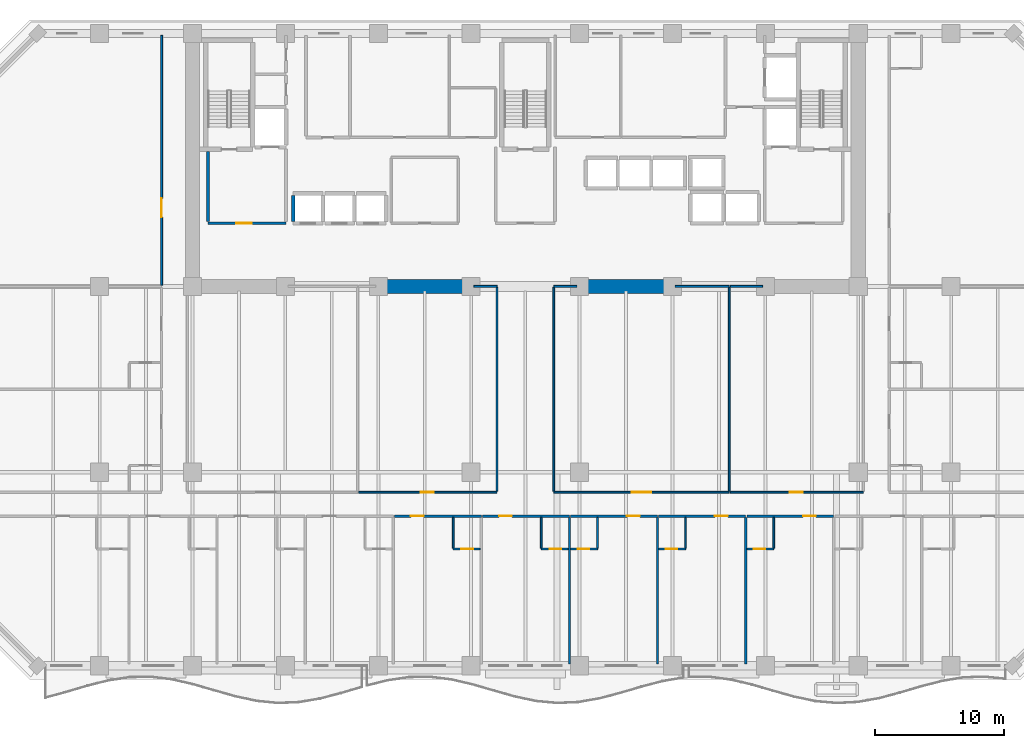
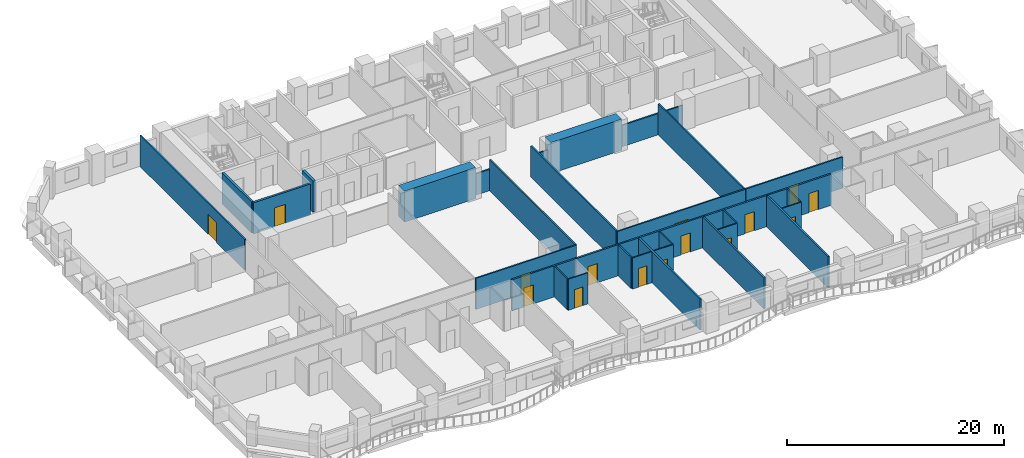
# One storey, part 6 of 15: 34 walls, 15 doors, 15 openings.
"""IFC4 building model written with IfcOpenShell, lengths in metres."""

from ifc_helpers import new_model, si_unit, direction, frame, frame_2d, origin, place, context, subcontext, project, spatial, rectangle, extrude, material, layer, layer_set, type_object, element, fill, save


model = new_model("IFC4")

# Units and contexts
model_context = context("Model", 3, precision=1e-05, world=origin(), true_north=direction((0.0, 1.0)))
body_context = subcontext(model_context, "Body", "Model", "MODEL_VIEW")
ifc_project = project(units=[si_unit("LENGTHUNIT", "METRE"), si_unit("AREAUNIT", "SQUARE_METRE"), si_unit("VOLUMEUNIT", "CUBIC_METRE"), si_unit("PLANEANGLEUNIT", "RADIAN"), si_unit("MASSUNIT", "GRAM", prefix="KILO")], contexts=[model_context])

# Site, building, storey
site_placement = place(None, origin())
site = spatial("IfcSite", under=ifc_project, at=site_placement, CompositionType="ELEMENT")
building_placement = place(site_placement, origin())
building = spatial("IfcBuilding", under=site, at=building_placement, Name="Kaelvorn Grand Hotel", CompositionType="ELEMENT")
storey_placement = place(building_placement, frame((0.0, 0.0, 57.64990234375)))
storey = spatial("IfcBuildingStorey", under=building, at=storey_placement, Name="L12", CompositionType="ELEMENT", Elevation=57.64990234375)

# Walls
ifc_material_1 = material(Name="Concrete C80/95", Category="concrete")
ifc_layer_1 = layer(ifc_material_1, 1.10009765625)
ifc_layer_set_1 = layer_set([ifc_layer_1], Name="Concrete C80/95")
wall_type_1 = type_object("IfcWallType", Name="WL-CORE-1100-C80", PredefinedType="SHEAR", material=ifc_layer_set_1)
for number, where, z_axis, x_axis, name in (
    (1, (30.39990234375, 29.39990234375, 0.0), (0.0, 0.0, 1.0), (1.0, 0.0, 0.0), "L12 Rear-Core Coupled Shear Pier S2"),
    (2, (46.0, 29.39990234375, 0.0), (0.0, 0.0, 1.0), (1.0, 0.0, 0.0), "L12 Rear-Core Coupled Shear Pier S3"),
):
    element("IfcWall", number, at=place(storey_placement, frame(where, z_axis=z_axis, x_axis=x_axis)), inside=storey, type_object=wall_type_1, Name=name, PredefinedType="SHEAR", context=body_context, shape_type="SweptSolid", body=[
        extrude(rectangle(XDim=7.60009765625, YDim=1.10009765625, at=frame_2d((3.800048828125, 0.0))), origin(), (0.0, 0.0, 1.0), 3.510009765625),
    ])

# Wall, opening, door
ifc_material_2 = material(Name="Moisture-Resistant Tile & Stud Board")
ifc_layer_2 = layer(ifc_material_2, 0.125)
ifc_layer_set_2 = layer_set([ifc_layer_2], Name="Moisture-Resistant Tile & Stud Board")
wall_type_2 = type_object("IfcWallType", Name="WL-PART-125-WET", PredefinedType="PARTITIONING", material=ifc_layer_set_2)
wall_1_placement = place(storey_placement, frame((36.406494140625, 9.050048828125, 0.0), z_axis=(0.0, 0.0, 1.0), x_axis=(1.0, 0.0, 0.0)))
wall_1 = element("IfcWall", 3, at=wall_1_placement, inside=storey, type_object=wall_type_2, Name="L12 En-suite Bathroom L12-05 S Partition", PredefinedType="PARTITIONING", context=body_context, shape_type="SweptSolid", body=[
    extrude(rectangle(XDim=2.0849609375, YDim=0.125, at=frame_2d((1.04248046875, 0.0))), origin(), (0.0, 0.0, 1.0), 3.510009765625),
])
opening_1_placement = place(wall_1_placement, frame((0.639892578125, 0.0, 0.0)))
opening_1 = element("IfcOpeningElement", 4, at=opening_1_placement, cuts=wall_1, Name="Opening DI4", PredefinedType="OPENING", context=body_context, shape_type="SweptSolid", body=[
    extrude(rectangle(XDim=0.89990234375, YDim=2.10009765625, at=frame_2d((0.449951171875, 1.050048828125))), frame((0.0, 0.072509765625, 0.0), z_axis=(0.0, -1.0, 0.0), x_axis=(1.0, 0.0, 0.0)), (0.0, 0.0, 1.0), 0.14501953125),
])
ifc_material_3 = material(Name="Timber Veneer Leaf", Category="wood")
door_type_1 = type_object("IfcDoorType", Name="DR-INT-BATH-900x2100", OperationType="NOTDEFINED", PredefinedType="DOOR", material=ifc_material_3)
door_1_placement = place(opening_1_placement, origin())
door_1 = element("IfcDoor", 5, at=door_1_placement, inside=storey, type_object=door_type_1, Name="L12 En-suite Bathroom L12-05 Door", OperationType="SINGLE_SWING_LEFT", OverallHeight=2.10009765625, OverallWidth=0.89990234375, PredefinedType="DOOR", context=body_context, shape_type="SweptSolid", body=[
    extrude(rectangle(XDim=0.89990234375, YDim=2.10009765625, at=frame_2d((0.449951171875, 1.050048828125))), frame((0.0, 0.02490234375, 0.0), z_axis=(0.0, -1.0, 0.0), x_axis=(1.0, 0.0, 0.0)), (0.0, 0.0, 1.0), 0.050048828125),
])
fill(opening_1, door_1)

# Wall
wall_2_placement = place(storey_placement, frame((36.406494140625, 9.117431640625, 0.0), z_axis=(0.0, 0.0, 1.0), x_axis=(0.0, 1.0, 0.0)))
element("IfcWall", 6, at=wall_2_placement, inside=storey, type_object=wall_type_2, Name="L12 En-suite Bathroom L12-05 W Partition", PredefinedType="PARTITIONING", context=body_context, shape_type="SweptSolid", body=[
    extrude(rectangle(XDim=2.387451171875, YDim=0.125, at=frame_2d((1.19384765625, 0.0))), origin(), (0.0, 0.0, 1.0), 3.510009765625),
])

# Wall, opening, door
wall_3_placement = place(storey_placement, frame((43.233642578125, 9.050048828125, 0.0), z_axis=(0.0, 0.0, 1.0), x_axis=(1.0, 0.0, 0.0)))
wall_3 = element("IfcWall", 7, at=wall_3_placement, inside=storey, type_object=wall_type_2, Name="L12 En-suite Bathroom L12-06 S Partition", PredefinedType="PARTITIONING", context=body_context, shape_type="SweptSolid", body=[
    extrude(rectangle(XDim=2.0849609375, YDim=0.125, at=frame_2d((1.04248046875, 0.0))), origin(), (0.0, 0.0, 1.0), 3.510009765625),
])
opening_2_placement = place(wall_3_placement, frame((0.639892578125, 0.0, 0.0)))
opening_2 = element("IfcOpeningElement", 8, at=opening_2_placement, cuts=wall_3, Name="Opening DI4", PredefinedType="OPENING", context=body_context, shape_type="SweptSolid", body=[
    extrude(rectangle(XDim=0.89990234375, YDim=2.10009765625, at=frame_2d((0.449951171875, 1.050048828125))), frame((0.0, 0.072509765625, 0.0), z_axis=(0.0, -1.0, 0.0), x_axis=(1.0, 0.0, 0.0)), (0.0, 0.0, 1.0), 0.14501953125),
])
door_2_placement = place(opening_2_placement, origin())
door_2 = element("IfcDoor", 9, at=door_2_placement, inside=storey, type_object=door_type_1, Name="L12 En-suite Bathroom L12-06 Door", OperationType="SINGLE_SWING_LEFT", OverallHeight=2.10009765625, OverallWidth=0.89990234375, PredefinedType="DOOR", context=body_context, shape_type="SweptSolid", body=[
    extrude(rectangle(XDim=0.89990234375, YDim=2.10009765625, at=frame_2d((0.449951171875, 1.050048828125))), frame((0.0, 0.02490234375, 0.0), z_axis=(0.0, -1.0, 0.0), x_axis=(1.0, 0.0, 0.0)), (0.0, 0.0, 1.0), 0.050048828125),
])
fill(opening_2, door_2)

# Wall
wall_4_placement = place(storey_placement, frame((43.233642578125, 9.117431640625, 0.0), z_axis=(0.0, 0.0, 1.0), x_axis=(0.0, 1.0, 0.0)))
element("IfcWall", 10, at=wall_4_placement, inside=storey, type_object=wall_type_2, Name="L12 En-suite Bathroom L12-06 W Partition", PredefinedType="PARTITIONING", context=body_context, shape_type="SweptSolid", body=[
    extrude(rectangle(XDim=2.387451171875, YDim=0.125, at=frame_2d((1.19384765625, 0.0))), origin(), (0.0, 0.0, 1.0), 3.510009765625),
])

# Wall, opening, door
wall_5_placement = place(storey_placement, frame((45.508544921875, 9.050048828125, 0.0), z_axis=(0.0, 0.0, 1.0), x_axis=(1.0, 0.0, 0.0)))
wall_5 = element("IfcWall", 11, at=wall_5_placement, inside=storey, type_object=wall_type_2, Name="L12 En-suite Bathroom L12-07 S Partition", PredefinedType="PARTITIONING", context=body_context, shape_type="SweptSolid", body=[
    extrude(rectangle(XDim=2.0849609375, YDim=0.125, at=frame_2d((1.04248046875, 0.0))), origin(), (0.0, 0.0, 1.0), 3.510009765625),
])
opening_3_placement = place(wall_5_placement, frame((0.544921875, 0.0, 0.0)))
opening_3 = element("IfcOpeningElement", 12, at=opening_3_placement, cuts=wall_5, Name="Opening DI4", PredefinedType="OPENING", context=body_context, shape_type="SweptSolid", body=[
    extrude(rectangle(XDim=0.89990234375, YDim=2.10009765625, at=frame_2d((0.449951171875, 1.050048828125))), frame((0.0, 0.072509765625, 0.0), z_axis=(0.0, -1.0, 0.0), x_axis=(1.0, 0.0, 0.0)), (0.0, 0.0, 1.0), 0.14501953125),
])
door_3_placement = place(opening_3_placement, origin())
door_3 = element("IfcDoor", 13, at=door_3_placement, inside=storey, type_object=door_type_1, Name="L12 En-suite Bathroom L12-07 Door", OperationType="SINGLE_SWING_LEFT", OverallHeight=2.10009765625, OverallWidth=0.89990234375, PredefinedType="DOOR", context=body_context, shape_type="SweptSolid", body=[
    extrude(rectangle(XDim=0.89990234375, YDim=2.10009765625, at=frame_2d((0.449951171875, 1.050048828125))), frame((0.0, 0.02490234375, 0.0), z_axis=(0.0, -1.0, 0.0), x_axis=(1.0, 0.0, 0.0)), (0.0, 0.0, 1.0), 0.050048828125),
])
fill(opening_3, door_3)

# Wall
wall_6_placement = place(storey_placement, frame((47.593505859375, 9.117431640625, 0.0), z_axis=(0.0, 0.0, 1.0), x_axis=(0.0, 1.0, 0.0)))
element("IfcWall", 14, at=wall_6_placement, inside=storey, type_object=wall_type_2, Name="L12 En-suite Bathroom L12-07 E Partition", PredefinedType="PARTITIONING", context=body_context, shape_type="SweptSolid", body=[
    extrude(rectangle(XDim=2.387451171875, YDim=0.125, at=frame_2d((1.19384765625, 0.0))), origin(), (0.0, 0.0, 1.0), 3.510009765625),
])

# Wall, opening, door
wall_7_placement = place(storey_placement, frame((52.3359375, 9.050048828125, 0.0), z_axis=(0.0, 0.0, 1.0), x_axis=(1.0, 0.0, 0.0)))
wall_7 = element("IfcWall", 15, at=wall_7_placement, inside=storey, type_object=wall_type_2, Name="L12 En-suite Bathroom L12-08 S Partition", PredefinedType="PARTITIONING", context=body_context, shape_type="SweptSolid", body=[
    extrude(rectangle(XDim=2.0849609375, YDim=0.125, at=frame_2d((1.04248046875, 0.0))), origin(), (0.0, 0.0, 1.0), 3.510009765625),
])
opening_4_placement = place(wall_7_placement, frame((0.544921875, 0.0, 0.0)))
opening_4 = element("IfcOpeningElement", 16, at=opening_4_placement, cuts=wall_7, Name="Opening DI4", PredefinedType="OPENING", context=body_context, shape_type="SweptSolid", body=[
    extrude(rectangle(XDim=0.89990234375, YDim=2.10009765625, at=frame_2d((0.449951171875, 1.050048828125))), frame((0.0, 0.072509765625, 0.0), z_axis=(0.0, -1.0, 0.0), x_axis=(1.0, 0.0, 0.0)), (0.0, 0.0, 1.0), 0.14501953125),
])
door_4_placement = place(opening_4_placement, origin())
door_4 = element("IfcDoor", 17, at=door_4_placement, inside=storey, type_object=door_type_1, Name="L12 En-suite Bathroom L12-08 Door", OperationType="SINGLE_SWING_LEFT", OverallHeight=2.10009765625, OverallWidth=0.89990234375, PredefinedType="DOOR", context=body_context, shape_type="SweptSolid", body=[
    extrude(rectangle(XDim=0.89990234375, YDim=2.10009765625, at=frame_2d((0.449951171875, 1.050048828125))), frame((0.0, 0.02490234375, 0.0), z_axis=(0.0, -1.0, 0.0), x_axis=(1.0, 0.0, 0.0)), (0.0, 0.0, 1.0), 0.050048828125),
])
fill(opening_4, door_4)

# Wall
wall_8_placement = place(storey_placement, frame((54.4208984375, 9.117431640625, 0.0), z_axis=(0.0, 0.0, 1.0), x_axis=(0.0, 1.0, 0.0)))
element("IfcWall", 18, at=wall_8_placement, inside=storey, type_object=wall_type_2, Name="L12 En-suite Bathroom L12-08 E Partition", PredefinedType="PARTITIONING", context=body_context, shape_type="SweptSolid", body=[
    extrude(rectangle(XDim=2.387451171875, YDim=0.125, at=frame_2d((1.19384765625, 0.0))), origin(), (0.0, 0.0, 1.0), 3.510009765625),
])

# Wall, opening, door
wall_9_placement = place(storey_placement, frame((59.1630859375, 9.050048828125, 0.0), z_axis=(0.0, 0.0, 1.0), x_axis=(1.0, 0.0, 0.0)))
wall_9 = element("IfcWall", 19, at=wall_9_placement, inside=storey, type_object=wall_type_2, Name="L12 En-suite Bathroom L12-09 S Partition", PredefinedType="PARTITIONING", context=body_context, shape_type="SweptSolid", body=[
    extrude(rectangle(XDim=2.085205078125, YDim=0.125, at=frame_2d((1.04248046875, 0.0))), origin(), (0.0, 0.0, 1.0), 3.510009765625),
])
opening_5_placement = place(wall_9_placement, frame((0.544921875, 0.0, 0.0)))
opening_5 = element("IfcOpeningElement", 20, at=opening_5_placement, cuts=wall_9, Name="Opening DI4", PredefinedType="OPENING", context=body_context, shape_type="SweptSolid", body=[
    extrude(rectangle(XDim=0.89990234375, YDim=2.10009765625, at=frame_2d((0.449951171875, 1.050048828125))), frame((0.0, 0.072509765625, 0.0), z_axis=(0.0, -1.0, 0.0), x_axis=(1.0, 0.0, 0.0)), (0.0, 0.0, 1.0), 0.14501953125),
])
door_5_placement = place(opening_5_placement, origin())
door_5 = element("IfcDoor", 21, at=door_5_placement, inside=storey, type_object=door_type_1, Name="L12 En-suite Bathroom L12-09 Door", OperationType="SINGLE_SWING_LEFT", OverallHeight=2.10009765625, OverallWidth=0.89990234375, PredefinedType="DOOR", context=body_context, shape_type="SweptSolid", body=[
    extrude(rectangle(XDim=0.89990234375, YDim=2.10009765625, at=frame_2d((0.449951171875, 1.050048828125))), frame((0.0, 0.02490234375, 0.0), z_axis=(0.0, -1.0, 0.0), x_axis=(1.0, 0.0, 0.0)), (0.0, 0.0, 1.0), 0.050048828125),
])
fill(opening_5, door_5)

# Wall
wall_10_placement = place(storey_placement, frame((61.248291015625, 9.117431640625, 0.0), z_axis=(0.0, 0.0, 1.0), x_axis=(0.0, 1.0, 0.0)))
element("IfcWall", 22, at=wall_10_placement, inside=storey, type_object=wall_type_2, Name="L12 En-suite Bathroom L12-09 E Partition", PredefinedType="PARTITIONING", context=body_context, shape_type="SweptSolid", body=[
    extrude(rectangle(XDim=2.387451171875, YDim=0.125, at=frame_2d((1.19384765625, 0.0))), origin(), (0.0, 0.0, 1.0), 3.510009765625),
])

# Wall, opening, door
ifc_material_4 = material(Name="Acoustic Gypsum & Stud Partition")
ifc_layer_3 = layer(ifc_material_4, 0.14990234375)
ifc_layer_set_3 = layer_set([ifc_layer_3], Name="Acoustic Gypsum & Stud Partition")
wall_type_3 = type_object("IfcWallType", Name="WL-PART-150-EI60", PredefinedType="PARTITIONING", material=ifc_layer_set_3)
wall_11_placement = place(storey_placement, frame((29.080078125, 13.449951171875, 0.0), z_axis=(0.0, 0.0, 1.0), x_axis=(1.0, 0.0, 0.0)))
wall_11 = element("IfcWall", 23, at=wall_11_placement, inside=storey, type_object=wall_type_3, Name="L12 Chef Finishing Kitchen S Partition", PredefinedType="PARTITIONING", context=body_context, shape_type="SweptSolid", body=[
    extrude(rectangle(XDim=10.719970703125, YDim=0.14990234375, at=frame_2d((5.35986328125, 0.0))), origin(), (0.0, 0.0, 1.0), 3.510009765625),
])
opening_6_placement = place(wall_11_placement, frame((4.820068359375, 0.0, 0.0)))
opening_6 = element("IfcOpeningElement", 24, at=opening_6_placement, cuts=wall_11, Name="Opening DI3", PredefinedType="OPENING", context=body_context, shape_type="SweptSolid", body=[
    extrude(rectangle(XDim=1.0, YDim=2.14990234375, at=frame_2d((0.5, 1.074951171875))), frame((0.0, 0.0849609375, 0.0), z_axis=(0.0, -1.0, 0.0), x_axis=(1.0, 0.0, 0.0)), (0.0, 0.0, 1.0), 0.169921875),
])
ifc_material_5 = material(Name="Timber Veneer Fire Leaf", Category="wood")
door_type_2 = type_object("IfcDoorType", Name="DR-INT-GUEST-1000x2150", OperationType="NOTDEFINED", PredefinedType="DOOR", material=ifc_material_5)
door_6_placement = place(opening_6_placement, origin())
door_6 = element("IfcDoor", 25, at=door_6_placement, inside=storey, type_object=door_type_2, Name="L12 Chef Finishing Kitchen Door", OperationType="SINGLE_SWING_RIGHT", OverallHeight=2.14990234375, OverallWidth=1.0, PredefinedType="DOOR", context=body_context, shape_type="SweptSolid", body=[
    extrude(rectangle(XDim=1.0, YDim=2.14990234375, at=frame_2d((0.5, 1.074951171875))), frame((0.0, 0.02490234375, 0.0), z_axis=(0.0, -1.0, 0.0), x_axis=(1.0, 0.0, 0.0)), (0.0, 0.0, 1.0), 0.050048828125),
])
fill(opening_6, door_6)

# Walls
wall_12_placement = place(storey_placement, frame((38.010009765625, 29.39990234375, 0.0), z_axis=(0.0, 0.0, 1.0), x_axis=(1.0, 0.0, 0.0)))
element("IfcWall", 26, at=wall_12_placement, inside=storey, type_object=wall_type_3, Name="L12 Chef Finishing Kitchen N Partition (2)", PredefinedType="PARTITIONING", context=body_context, shape_type="SweptSolid", body=[
    extrude(rectangle(XDim=1.7900390625, YDim=0.14990234375, at=frame_2d((0.89501953125, 0.0))), origin(), (0.0, 0.0, 1.0), 2.41015625),
])
wall_13_placement = place(storey_placement, frame((39.800048828125, 13.530029296875, 0.0), z_axis=(0.0, 0.0, 1.0), x_axis=(0.0, 1.0, 0.0)))
element("IfcWall", 27, at=wall_13_placement, inside=storey, type_object=wall_type_3, Name="L12 Chef Finishing Kitchen E Partition", PredefinedType="PARTITIONING", context=body_context, shape_type="SweptSolid", body=[
    extrude(rectangle(XDim=15.7900390625, YDim=0.14990234375, at=frame_2d((7.89501953125, 0.0))), origin(), (0.0, 0.0, 1.0), 3.510009765625),
])

# Wall, opening, door
wall_14_placement = place(storey_placement, frame((44.199951171875, 13.449951171875, 0.0), z_axis=(0.0, 0.0, 1.0), x_axis=(1.0, 0.0, 0.0)))
wall_14 = element("IfcWall", 28, at=wall_14_placement, inside=storey, type_object=wall_type_3, Name="L12 Conference Seminar Room S Partition", PredefinedType="PARTITIONING", context=body_context, shape_type="SweptSolid", body=[
    extrude(rectangle(XDim=13.60009765625, YDim=0.14990234375, at=frame_2d((6.800048828125, 0.0))), origin(), (0.0, 0.0, 1.0), 3.510009765625),
])
opening_7_placement = place(wall_14_placement, frame((6.050048828125, 0.0, 0.0)))
opening_7 = element("IfcOpeningElement", 29, at=opening_7_placement, cuts=wall_14, Name="Opening DI5", PredefinedType="OPENING", context=body_context, shape_type="SweptSolid", body=[
    extrude(rectangle(XDim=1.5, YDim=2.25, at=frame_2d((0.75, 1.125))), frame((0.0, 0.0849609375, 0.0), z_axis=(0.0, -1.0, 0.0), x_axis=(1.0, 0.0, 0.0)), (0.0, 0.0, 1.0), 0.169921875),
])
door_type_3 = type_object("IfcDoorType", Name="DR-INT-SALON-1500x2250", OperationType="DOUBLE_DOOR_SINGLE_SWING", PredefinedType="DOOR", material=ifc_material_5)
door_7_placement = place(opening_7_placement, origin())
door_7 = element("IfcDoor", 30, at=door_7_placement, inside=storey, type_object=door_type_3, Name="L12 Conference Seminar Room Door", OperationType="DOUBLE_DOOR_SINGLE_SWING", OverallHeight=2.25, OverallWidth=1.5, PredefinedType="DOOR", context=body_context, shape_type="SweptSolid", body=[
    extrude(rectangle(XDim=1.5, YDim=2.25, at=frame_2d((0.75, 1.125))), frame((0.0, 0.02490234375, 0.0), z_axis=(0.0, -1.0, 0.0), x_axis=(1.0, 0.0, 0.0)), (0.0, 0.0, 1.0), 0.050048828125),
])
fill(opening_7, door_7)

# Walls
wall_15_placement = place(storey_placement, frame((44.199951171875, 29.39990234375, 0.0), z_axis=(0.0, 0.0, 1.0), x_axis=(1.0, 0.0, 0.0)))
element("IfcWall", 31, at=wall_15_placement, inside=storey, type_object=wall_type_3, Name="L12 Conference Seminar Room N Partition (1)", PredefinedType="PARTITIONING", context=body_context, shape_type="SweptSolid", body=[
    extrude(rectangle(XDim=1.7900390625, YDim=0.14990234375, at=frame_2d((0.89501953125, 0.0))), origin(), (0.0, 0.0, 1.0), 2.41015625),
])
wall_16_placement = place(storey_placement, frame((53.610107421875, 29.39990234375, 0.0), z_axis=(0.0, 0.0, 1.0), x_axis=(1.0, 0.0, 0.0)))
element("IfcWall", 32, at=wall_16_placement, inside=storey, type_object=wall_type_3, Name="L12 Conference Seminar Room N Partition (2)", PredefinedType="PARTITIONING", context=body_context, shape_type="SweptSolid", body=[
    extrude(rectangle(XDim=4.18994140625, YDim=0.14990234375, at=frame_2d((2.094970703125, 0.0))), origin(), (0.0, 0.0, 1.0), 2.41015625),
])
for number, where, z_axis, x_axis, name in (
    (33, (44.199951171875, 13.530029296875, 0.0), (0.0, 0.0, 1.0), (0.0, 1.0, 0.0), "L12 Conference Seminar Room W Partition"),
    (34, (57.800048828125, 13.530029296875, 0.0), (0.0, 0.0, 1.0), (0.0, 1.0, 0.0), "L12 Conference Seminar Room E Partition"),
):
    element("IfcWall", number, at=place(storey_placement, frame(where, z_axis=z_axis, x_axis=x_axis)), inside=storey, type_object=wall_type_3, Name=name, PredefinedType="PARTITIONING", context=body_context, shape_type="SweptSolid", body=[
        extrude(rectangle(XDim=15.7900390625, YDim=0.14990234375, at=frame_2d((7.89501953125, 0.0))), origin(), (0.0, 0.0, 1.0), 3.510009765625),
    ])

# Wall, opening, door
wall_17_placement = place(storey_placement, frame((57.8798828125, 13.449951171875, 0.0), z_axis=(0.0, 0.0, 1.0), x_axis=(1.0, 0.0, 0.0)))
wall_17 = element("IfcWall", 35, at=wall_17_placement, inside=storey, type_object=wall_type_3, Name="L12 Concierge Admin Office S Partition", PredefinedType="PARTITIONING", context=body_context, shape_type="SweptSolid", body=[
    extrude(rectangle(XDim=10.320068359375, YDim=0.14990234375, at=frame_2d((5.16015625, 0.0))), origin(), (0.0, 0.0, 1.0), 3.510009765625),
])
opening_8_placement = place(wall_17_placement, frame((4.6201171875, 0.0, 0.0)))
opening_8 = element("IfcOpeningElement", 36, at=opening_8_placement, cuts=wall_17, Name="Opening DI3", PredefinedType="OPENING", context=body_context, shape_type="SweptSolid", body=[
    extrude(rectangle(XDim=1.0, YDim=2.14990234375, at=frame_2d((0.5, 1.074951171875))), frame((0.0, 0.0849609375, 0.0), z_axis=(0.0, -1.0, 0.0), x_axis=(1.0, 0.0, 0.0)), (0.0, 0.0, 1.0), 0.169921875),
])
door_8_placement = place(opening_8_placement, origin())
door_8 = element("IfcDoor", 37, at=door_8_placement, inside=storey, type_object=door_type_2, Name="L12 Concierge Admin Office Door", OperationType="SINGLE_SWING_LEFT", OverallHeight=2.14990234375, OverallWidth=1.0, PredefinedType="DOOR", context=body_context, shape_type="SweptSolid", body=[
    extrude(rectangle(XDim=1.0, YDim=2.14990234375, at=frame_2d((0.5, 1.074951171875))), frame((0.0, 0.02490234375, 0.0), z_axis=(0.0, -1.0, 0.0), x_axis=(1.0, 0.0, 0.0)), (0.0, 0.0, 1.0), 0.050048828125),
])
fill(opening_8, door_8)

# Wall
wall_18_placement = place(storey_placement, frame((57.8798828125, 29.39990234375, 0.0), z_axis=(0.0, 0.0, 1.0), x_axis=(1.0, 0.0, 0.0)))
element("IfcWall", 38, at=wall_18_placement, inside=storey, type_object=wall_type_3, Name="L12 Concierge Admin Office N Partition", PredefinedType="PARTITIONING", context=body_context, shape_type="SweptSolid", body=[
    extrude(rectangle(XDim=2.510009765625, YDim=0.14990234375, at=frame_2d((1.2548828125, 0.0))), origin(), (0.0, 0.0, 1.0), 2.41015625),
])

# Wall, opening, door
wall_19_placement = place(storey_placement, frame((13.800048828125, 29.4951171875, 0.0), z_axis=(0.0, 0.0, 1.0), x_axis=(0.0, 1.0, 0.0)))
wall_19 = element("IfcWall", 39, at=wall_19_placement, inside=storey, type_object=wall_type_3, Name="L12 North-West Conference Seminar Room E Partition", PredefinedType="PARTITIONING", context=body_context, shape_type="SweptSolid", body=[
    extrude(rectangle(XDim=19.35498046875, YDim=0.14990234375, at=frame_2d((9.677490234375, 0.0))), origin(), (0.0, 0.0, 1.0), 3.510009765625),
])
opening_9_placement = place(wall_19_placement, frame((5.2548828125, 0.0, 0.0)))
opening_9 = element("IfcOpeningElement", 40, at=opening_9_placement, cuts=wall_19, Name="Opening DI5", PredefinedType="OPENING", context=body_context, shape_type="SweptSolid", body=[
    extrude(rectangle(XDim=1.5, YDim=2.25, at=frame_2d((0.75, 1.125))), frame((0.0, 0.0849609375, 0.0), z_axis=(0.0, -1.0, 0.0), x_axis=(1.0, 0.0, 0.0)), (0.0, 0.0, 1.0), 0.169921875),
])
door_9_placement = place(opening_9_placement, origin())
door_9 = element("IfcDoor", 41, at=door_9_placement, inside=storey, type_object=door_type_3, Name="L12 North-West Conference Seminar Room Door", OperationType="DOUBLE_DOOR_SINGLE_SWING", OverallHeight=2.25, OverallWidth=1.5, PredefinedType="DOOR", context=body_context, shape_type="SweptSolid", body=[
    extrude(rectangle(XDim=1.5, YDim=2.25, at=frame_2d((0.75, 1.125))), frame((0.0, 0.02490234375, 0.0), z_axis=(0.0, -1.0, 0.0), x_axis=(1.0, 0.0, 0.0)), (0.0, 0.0, 1.0), 0.050048828125),
])
fill(opening_9, door_9)

ifc_layer_4 = layer(ifc_material_4, 0.179931640625)
ifc_layer_set_4 = layer_set([ifc_layer_4], Name="Acoustic Gypsum & Stud Partition")
wall_type_4 = type_object("IfcWallType", Name="WL-PART-180-EI60", PredefinedType="PARTITIONING", material=ifc_layer_set_4)
wall_20_placement = place(storey_placement, frame((31.85400390625, 11.60009765625, 0.0), z_axis=(0.0, 0.0, 1.0), x_axis=(1.0, 0.0, 0.0)))
wall_20 = element("IfcWall", 42, at=wall_20_placement, inside=storey, type_object=wall_type_4, Name="L12 Deluxe Panoramic Suite L12-05 N Partition", PredefinedType="PARTITIONING", context=body_context, shape_type="SweptSolid", body=[
    extrude(rectangle(XDim=6.732421875, YDim=0.179931640625, at=frame_2d((3.3662109375, 0.0))), origin(), (0.0, 0.0, 1.0), 3.510009765625),
])
opening_10_placement = place(wall_20_placement, frame((1.27880859375, 0.0, 0.0)))
opening_10 = element("IfcOpeningElement", 43, at=opening_10_placement, cuts=wall_20, Name="Opening DI3", PredefinedType="OPENING", context=body_context, shape_type="SweptSolid", body=[
    extrude(rectangle(XDim=1.0, YDim=2.14990234375, at=frame_2d((0.5, 1.074951171875))), frame((0.0, 0.10009765625, 0.0), z_axis=(0.0, -1.0, 0.0), x_axis=(1.0, 0.0, 0.0)), (0.0, 0.0, 1.0), 0.199951171875),
])
door_10_placement = place(opening_10_placement, origin())
door_10 = element("IfcDoor", 44, at=door_10_placement, inside=storey, type_object=door_type_2, Name="L12 Deluxe Panoramic Suite L12-05 Door", OperationType="SINGLE_SWING_RIGHT", OverallHeight=2.14990234375, OverallWidth=1.0, PredefinedType="DOOR", context=body_context, shape_type="SweptSolid", body=[
    extrude(rectangle(XDim=1.0, YDim=2.14990234375, at=frame_2d((0.5, 1.074951171875))), frame((0.0, 0.02490234375, 0.0), z_axis=(0.0, -1.0, 0.0), x_axis=(1.0, 0.0, 0.0)), (0.0, 0.0, 1.0), 0.050048828125),
])
fill(opening_10, door_10)

wall_21_placement = place(storey_placement, frame((38.681396484375, 11.60009765625, 0.0), z_axis=(0.0, 0.0, 1.0), x_axis=(1.0, 0.0, 0.0)))
wall_21 = element("IfcWall", 45, at=wall_21_placement, inside=storey, type_object=wall_type_4, Name="L12 Deluxe Panoramic Suite L12-06 N Partition", PredefinedType="PARTITIONING", context=body_context, shape_type="SweptSolid", body=[
    extrude(rectangle(XDim=6.732177734375, YDim=0.179931640625, at=frame_2d((3.3662109375, 0.0))), origin(), (0.0, 0.0, 1.0), 3.510009765625),
])
opening_11_placement = place(wall_21_placement, frame((1.278564453125, 0.0, 0.0)))
opening_11 = element("IfcOpeningElement", 46, at=opening_11_placement, cuts=wall_21, Name="Opening DI3", PredefinedType="OPENING", context=body_context, shape_type="SweptSolid", body=[
    extrude(rectangle(XDim=1.0, YDim=2.14990234375, at=frame_2d((0.5, 1.074951171875))), frame((0.0, 0.10009765625, 0.0), z_axis=(0.0, -1.0, 0.0), x_axis=(1.0, 0.0, 0.0)), (0.0, 0.0, 1.0), 0.199951171875),
])
door_11_placement = place(opening_11_placement, origin())
door_11 = element("IfcDoor", 47, at=door_11_placement, inside=storey, type_object=door_type_2, Name="L12 Deluxe Panoramic Suite L12-06 Door", OperationType="SINGLE_SWING_RIGHT", OverallHeight=2.14990234375, OverallWidth=1.0, PredefinedType="DOOR", context=body_context, shape_type="SweptSolid", body=[
    extrude(rectangle(XDim=1.0, YDim=2.14990234375, at=frame_2d((0.5, 1.074951171875))), frame((0.0, 0.02490234375, 0.0), z_axis=(0.0, -1.0, 0.0), x_axis=(1.0, 0.0, 0.0)), (0.0, 0.0, 1.0), 0.050048828125),
])
fill(opening_11, door_11)

# Wall
wall_22_placement = place(storey_placement, frame((45.41357421875, 0.14990234375, 0.0), z_axis=(0.0, 0.0, 1.0), x_axis=(0.0, 1.0, 0.0)))
element("IfcWall", 48, at=wall_22_placement, inside=storey, type_object=wall_type_4, Name="L12 Deluxe Panoramic Suite L12-06 E Partition", PredefinedType="PARTITIONING", context=body_context, shape_type="SweptSolid", body=[
    extrude(rectangle(XDim=11.35498046875, YDim=0.179931640625, at=frame_2d((5.677490234375, 0.0))), origin(), (0.0, 0.0, 1.0), 3.510009765625),
])

# Wall, opening, door
wall_23_placement = place(storey_placement, frame((45.508544921875, 11.60009765625, 0.0), z_axis=(0.0, 0.0, 1.0), x_axis=(1.0, 0.0, 0.0)))
wall_23 = element("IfcWall", 49, at=wall_23_placement, inside=storey, type_object=wall_type_4, Name="L12 Deluxe Panoramic Suite L12-07 N Partition", PredefinedType="PARTITIONING", context=body_context, shape_type="SweptSolid", body=[
    extrude(rectangle(XDim=6.732421875, YDim=0.179931640625, at=frame_2d((3.3662109375, 0.0))), origin(), (0.0, 0.0, 1.0), 3.510009765625),
])
opening_12_placement = place(wall_23_placement, frame((4.358642578125, 0.0, 0.0)))
opening_12 = element("IfcOpeningElement", 50, at=opening_12_placement, cuts=wall_23, Name="Opening DI3", PredefinedType="OPENING", context=body_context, shape_type="SweptSolid", body=[
    extrude(rectangle(XDim=1.0, YDim=2.14990234375, at=frame_2d((0.5, 1.074951171875))), frame((0.0, 0.10009765625, 0.0), z_axis=(0.0, -1.0, 0.0), x_axis=(1.0, 0.0, 0.0)), (0.0, 0.0, 1.0), 0.199951171875),
])
door_12_placement = place(opening_12_placement, origin())
door_12 = element("IfcDoor", 51, at=door_12_placement, inside=storey, type_object=door_type_2, Name="L12 Deluxe Panoramic Suite L12-07 Door", OperationType="SINGLE_SWING_RIGHT", OverallHeight=2.14990234375, OverallWidth=1.0, PredefinedType="DOOR", context=body_context, shape_type="SweptSolid", body=[
    extrude(rectangle(XDim=1.0, YDim=2.14990234375, at=frame_2d((0.5, 1.074951171875))), frame((0.0, 0.02490234375, 0.0), z_axis=(0.0, -1.0, 0.0), x_axis=(1.0, 0.0, 0.0)), (0.0, 0.0, 1.0), 0.050048828125),
])
fill(opening_12, door_12)

# Wall
wall_24_placement = place(storey_placement, frame((52.240966796875, 0.14990234375, 0.0), z_axis=(0.0, 0.0, 1.0), x_axis=(0.0, 1.0, 0.0)))
element("IfcWall", 52, at=wall_24_placement, inside=storey, type_object=wall_type_4, Name="L12 Deluxe Panoramic Suite L12-07 E Partition", PredefinedType="PARTITIONING", context=body_context, shape_type="SweptSolid", body=[
    extrude(rectangle(XDim=11.35498046875, YDim=0.179931640625, at=frame_2d((5.677490234375, 0.0))), origin(), (0.0, 0.0, 1.0), 3.510009765625),
])

# Wall, opening, door
wall_25_placement = place(storey_placement, frame((52.3359375, 11.60009765625, 0.0), z_axis=(0.0, 0.0, 1.0), x_axis=(1.0, 0.0, 0.0)))
wall_25 = element("IfcWall", 53, at=wall_25_placement, inside=storey, type_object=wall_type_4, Name="L12 Deluxe Panoramic Suite L12-08 N Partition", PredefinedType="PARTITIONING", context=body_context, shape_type="SweptSolid", body=[
    extrude(rectangle(XDim=6.732177734375, YDim=0.179931640625, at=frame_2d((3.3662109375, 0.0))), origin(), (0.0, 0.0, 1.0), 3.510009765625),
])
opening_13_placement = place(wall_25_placement, frame((4.358642578125, 0.0, 0.0)))
opening_13 = element("IfcOpeningElement", 54, at=opening_13_placement, cuts=wall_25, Name="Opening DI3", PredefinedType="OPENING", context=body_context, shape_type="SweptSolid", body=[
    extrude(rectangle(XDim=1.0, YDim=2.14990234375, at=frame_2d((0.5, 1.074951171875))), frame((0.0, 0.10009765625, 0.0), z_axis=(0.0, -1.0, 0.0), x_axis=(1.0, 0.0, 0.0)), (0.0, 0.0, 1.0), 0.199951171875),
])
door_13_placement = place(opening_13_placement, origin())
door_13 = element("IfcDoor", 55, at=door_13_placement, inside=storey, type_object=door_type_2, Name="L12 Deluxe Panoramic Suite L12-08 Door", OperationType="SINGLE_SWING_RIGHT", OverallHeight=2.14990234375, OverallWidth=1.0, PredefinedType="DOOR", context=body_context, shape_type="SweptSolid", body=[
    extrude(rectangle(XDim=1.0, YDim=2.14990234375, at=frame_2d((0.5, 1.074951171875))), frame((0.0, 0.02490234375, 0.0), z_axis=(0.0, -1.0, 0.0), x_axis=(1.0, 0.0, 0.0)), (0.0, 0.0, 1.0), 0.050048828125),
])
fill(opening_13, door_13)

# Wall
wall_26_placement = place(storey_placement, frame((59.068115234375, 0.14990234375, 0.0), z_axis=(0.0, 0.0, 1.0), x_axis=(0.0, 1.0, 0.0)))
element("IfcWall", 56, at=wall_26_placement, inside=storey, type_object=wall_type_4, Name="L12 Deluxe Panoramic Suite L12-08 E Partition", PredefinedType="PARTITIONING", context=body_context, shape_type="SweptSolid", body=[
    extrude(rectangle(XDim=11.35498046875, YDim=0.179931640625, at=frame_2d((5.677490234375, 0.0))), origin(), (0.0, 0.0, 1.0), 3.510009765625),
])

# Wall, opening, door
wall_27_placement = place(storey_placement, frame((59.1630859375, 11.60009765625, 0.0), z_axis=(0.0, 0.0, 1.0), x_axis=(1.0, 0.0, 0.0)))
wall_27 = element("IfcWall", 57, at=wall_27_placement, inside=storey, type_object=wall_type_4, Name="L12 Deluxe Panoramic Suite L12-09 N Partition", PredefinedType="PARTITIONING", context=body_context, shape_type="SweptSolid", body=[
    extrude(rectangle(XDim=6.732421875, YDim=0.179931640625, at=frame_2d((3.3662109375, 0.0))), origin(), (0.0, 0.0, 1.0), 3.510009765625),
])
opening_14_placement = place(wall_27_placement, frame((4.358642578125, 0.0, 0.0)))
opening_14 = element("IfcOpeningElement", 58, at=opening_14_placement, cuts=wall_27, Name="Opening DI3", PredefinedType="OPENING", context=body_context, shape_type="SweptSolid", body=[
    extrude(rectangle(XDim=1.0, YDim=2.14990234375, at=frame_2d((0.5, 1.074951171875))), frame((0.0, 0.10009765625, 0.0), z_axis=(0.0, -1.0, 0.0), x_axis=(1.0, 0.0, 0.0)), (0.0, 0.0, 1.0), 0.199951171875),
])
door_14_placement = place(opening_14_placement, origin())
door_14 = element("IfcDoor", 59, at=door_14_placement, inside=storey, type_object=door_type_2, Name="L12 Deluxe Panoramic Suite L12-09 Door", OperationType="SINGLE_SWING_RIGHT", OverallHeight=2.14990234375, OverallWidth=1.0, PredefinedType="DOOR", context=body_context, shape_type="SweptSolid", body=[
    extrude(rectangle(XDim=1.0, YDim=2.14990234375, at=frame_2d((0.5, 1.074951171875))), frame((0.0, 0.02490234375, 0.0), z_axis=(0.0, -1.0, 0.0), x_axis=(1.0, 0.0, 0.0)), (0.0, 0.0, 1.0), 0.050048828125),
])
fill(opening_14, door_14)

ifc_material_6 = material(Name="Concrete C40/50", Category="concrete")
ifc_layer_5 = layer(ifc_material_6, 0.219970703125)
ifc_layer_set_5 = layer_set([ifc_layer_5], Name="Concrete C40/50")
wall_type_5 = type_object("IfcWallType", Name="WL-PART-220-EI120", PredefinedType="PARTITIONING", material=ifc_layer_set_5)
wall_28_placement = place(storey_placement, frame((17.39990234375, 34.300048828125, 0.0), z_axis=(0.0, 0.0, 1.0), x_axis=(1.0, 0.0, 0.0)))
wall_28 = element("IfcWall", 60, at=wall_28_placement, inside=storey, type_object=wall_type_5, Name="L12 Firefighting Lift Lobby 1 S Partition", PredefinedType="PARTITIONING", context=body_context, shape_type="SweptSolid", body=[
    extrude(rectangle(XDim=6.050048828125, YDim=0.219970703125, at=frame_2d((3.02490234375, 0.0))), origin(), (0.0, 0.0, 1.0), 3.510009765625),
])
opening_15_placement = place(wall_28_placement, frame((2.199951171875, 0.0, 0.0)))
opening_15 = element("IfcOpeningElement", 61, at=opening_15_placement, cuts=wall_28, Name="Opening DI2", PredefinedType="OPENING", context=body_context, shape_type="SweptSolid", body=[
    extrude(rectangle(XDim=1.199951171875, YDim=2.14990234375, at=frame_2d((0.60009765625, 1.074951171875))), frame((0.0, 0.1201171875, 0.0), z_axis=(0.0, -1.0, 0.0), x_axis=(1.0, 0.0, 0.0)), (0.0, 0.0, 1.0), 0.239990234375),
])
door_type_4 = type_object("IfcDoorType", Name="DR-INT-FFLOB-1200x2150", OperationType="NOTDEFINED", PredefinedType="DOOR", material=ifc_material_5)
door_15_placement = place(opening_15_placement, origin())
door_15 = element("IfcDoor", 62, at=door_15_placement, inside=storey, type_object=door_type_4, Name="L12 Firefighting Lift Lobby 1 Door", OperationType="SINGLE_SWING_RIGHT", OverallHeight=2.14990234375, OverallWidth=1.199951171875, PredefinedType="DOOR", context=body_context, shape_type="SweptSolid", body=[
    extrude(rectangle(XDim=1.199951171875, YDim=2.14990234375, at=frame_2d((0.60009765625, 1.074951171875))), frame((0.0, 0.02490234375, 0.0), z_axis=(0.0, -1.0, 0.0), x_axis=(1.0, 0.0, 0.0)), (0.0, 0.0, 1.0), 0.050048828125),
])
fill(opening_15, door_15)

# Walls
wall_29_placement = place(storey_placement, frame((17.39990234375, 34.4150390625, 0.0), z_axis=(0.0, 0.0, 1.0), x_axis=(0.0, 1.0, 0.0)))
element("IfcWall", 63, at=wall_29_placement, inside=storey, type_object=wall_type_5, Name="L12 Firefighting Lift Lobby 1 W Partition", PredefinedType="PARTITIONING", context=body_context, shape_type="SweptSolid", body=[
    extrude(rectangle(XDim=5.429931640625, YDim=0.219970703125, at=frame_2d((2.71484375, 0.0))), origin(), (0.0, 0.0, 1.0), 3.510009765625),
])
ifc_material_7 = material(Name="Concrete C50/60", Category="concrete")
ifc_layer_6 = layer(ifc_material_7, 0.280029296875)
ifc_layer_set_6 = layer_set([ifc_layer_6], Name="Concrete C50/60")
wall_type_6 = type_object("IfcWallType", Name="WL-SHAFT-280-C50", PredefinedType="SHEAR", material=ifc_layer_set_6)
wall_30_placement = place(storey_placement, frame((24.0, 34.445068359375, 0.0), z_axis=(0.0, 0.0, 1.0), x_axis=(0.0, 1.0, 0.0)))
element("IfcWall", 64, at=wall_30_placement, inside=storey, type_object=wall_type_6, Name="L12 Lift PL-L1 Shaft West Wall", PredefinedType="SHEAR", context=body_context, shape_type="SweptSolid", body=[
    extrude(rectangle(XDim=2.010009765625, YDim=0.280029296875, at=frame_2d((1.0048828125, 0.0))), origin(), (0.0, 0.0, 1.0), 3.510009765625),
])

save(model, "model.ifc")
